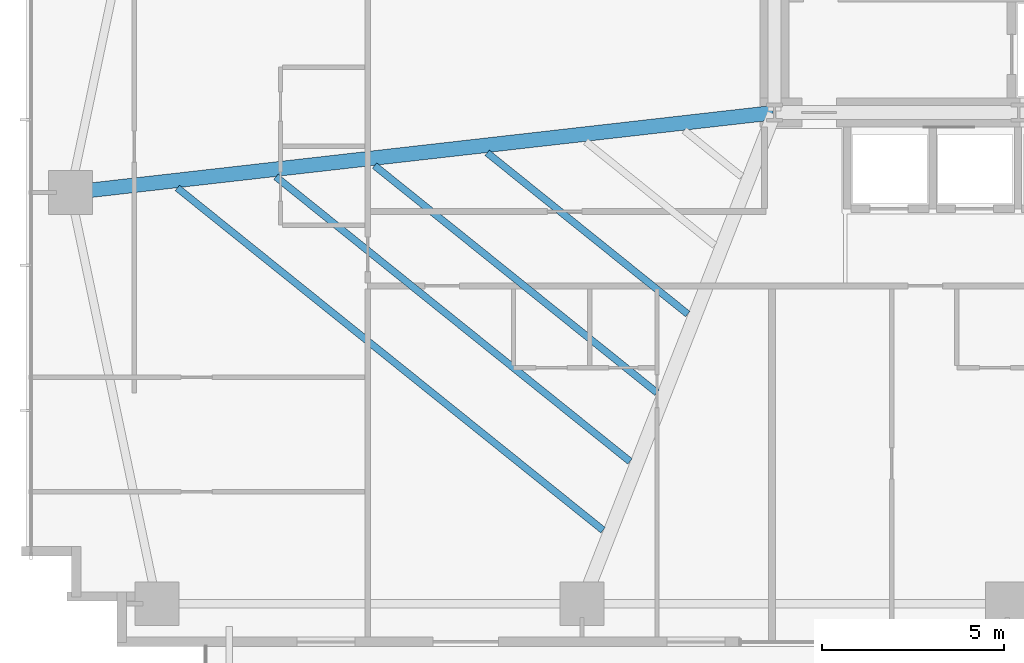
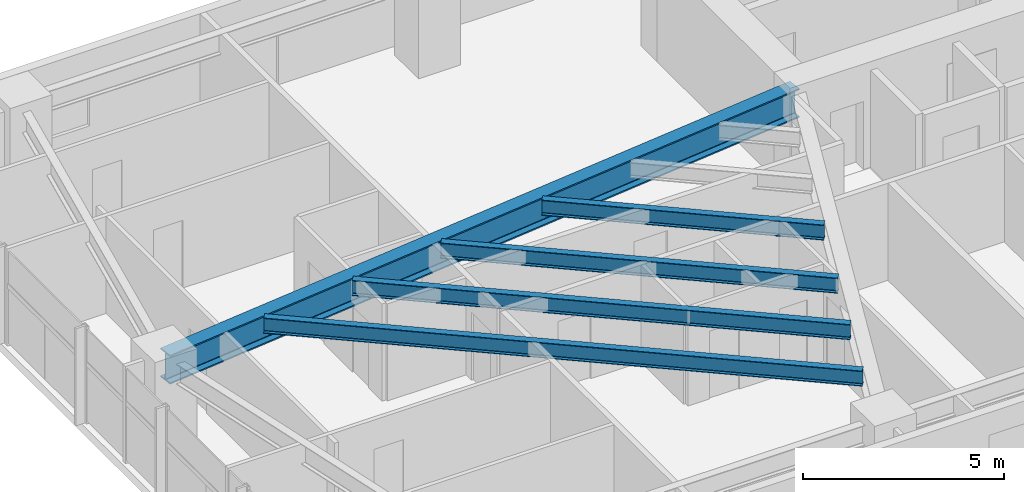
# One storey, part 5 of 25: 5 beams.
"""IFC4 building model written with IfcOpenShell, lengths in metres."""

from ifc_helpers import new_model, si_unit, direction, frame, origin, origin_2d, place, context, subcontext, project, spatial, i_section, extrude, source, transform, mapped, material, material_profile, profile_set, type_object, type_shapes, element, save


model = new_model("IFC4")

# Units and contexts
model_context = context("Model", 3, precision=1e-05, world=origin(), true_north=direction((0.0, 1.0)))
body_context = subcontext(model_context, "Body", "Model", "MODEL_VIEW")
ifc_project = project(units=[si_unit("LENGTHUNIT", "METRE"), si_unit("AREAUNIT", "SQUARE_METRE"), si_unit("VOLUMEUNIT", "CUBIC_METRE"), si_unit("PLANEANGLEUNIT", "RADIAN"), si_unit("MASSUNIT", "GRAM", prefix="KILO")], contexts=[model_context])

# Site, building, storey
site_placement = place(None, origin())
site = spatial("IfcSite", under=ifc_project, at=site_placement, CompositionType="ELEMENT")
building_placement = place(site_placement, origin())
building = spatial("IfcBuilding", under=site, at=building_placement, Name="Astriad Promenade Condominiums", CompositionType="ELEMENT")
storey_placement = place(building_placement, frame((0.0, 0.0, 42.199951171875)))
storey = spatial("IfcBuildingStorey", under=building, at=storey_placement, Name="L11", CompositionType="ELEMENT", Elevation=42.199951171875)

# Beams
ifc_material = material(Name="Steel ASTM A992 Grade 50", Category="steel")
ifc_material_profile_1 = material_profile(ifc_material, i_section(OverallWidth=0.4013671875, OverallDepth=0.877197265625, WebThickness=0.022216796875, FlangeThickness=0.039794921875, FilletRadius=0.02294921875, at=origin_2d()), Name="W33X263")
ifc_profile_set_1 = profile_set([ifc_material_profile_1], Name="Steel ASTM A992 Grade 50")
beam_type_1 = type_object("IfcBeamType", Name="STEEL PRIMARY GIRDER W33X263", PredefinedType="BEAM", material=ifc_profile_set_1)
shared_shape_1 = source(origin(), body_context, "Body", "SweptSolid", [
    extrude(i_section(OverallWidth=0.4013671875, OverallDepth=0.877197265625, WebThickness=0.022216796875, FlangeThickness=0.039794921875, FilletRadius=0.02294921875, at=origin_2d()), origin(), (0.0, 0.0, 1.0), 19.424560546875),
])
type_shapes(beam_type_1, [shared_shape_1])
beam_1_placement = place(storey_placement, frame((7.059814453125, 15.20458984375, 2.50146484375), z_axis=(0.993618675315, 0.11279152479, 0.0), x_axis=(-0.11279152479, 0.993618675315, 0.0)))
element("IfcBeam", 1, at=beam_1_placement, inside=storey, type_object=beam_type_1, Name="Primary Floor Girder PG-WM-L11", PredefinedType="BEAM", context=body_context, shape_type="MappedRepresentation", body=[
    mapped(shared_shape_1, transform((0.0, 0.0, 0.0), scale=1.0)),
])
ifc_material_profile_2 = material_profile(ifc_material, i_section(OverallWidth=0.19287109375, OverallDepth=0.466064453125, WebThickness=0.011474609375, FlangeThickness=0.01904296875, FilletRadius=0.01513671875, at=origin_2d()), Name="W18X65")
ifc_profile_set_2 = profile_set([ifc_material_profile_2], Name="Steel ASTM A992 Grade 50")
beam_type_2 = type_object("IfcBeamType", Name="STEEL FLOOR JOIST W18X65", PredefinedType="JOIST", material=ifc_profile_set_2)
shared_shape_2 = source(origin(), body_context, "Body", "SweptSolid", [
    extrude(i_section(OverallWidth=0.19287109375, OverallDepth=0.466064453125, WebThickness=0.011474609375, FlangeThickness=0.01904296875, FilletRadius=0.01513671875, at=origin_2d()), origin(), (0.0, 0.0, 1.0), 15.033447265625),
])
beam_2_placement = place(storey_placement, frame((9.961181640625, 15.32470703125, 2.70703125), z_axis=(0.779353434302, -0.626584570862, 0.0), x_axis=(0.626584570862, 0.779353434302, 0.0)))
element("IfcBeam", 2, at=beam_2_placement, inside=storey, type_object=beam_type_2, Name="Secondary Composite Floor Joist JW1-1-L11", PredefinedType="JOIST", context=body_context, shape_type="MappedRepresentation", body=[
    mapped(shared_shape_2, transform((0.0, 0.0, 0.0), scale=1.0)),
])
shared_shape_3 = source(origin(), body_context, "Body", "SweptSolid", [
    extrude(i_section(OverallWidth=0.19287109375, OverallDepth=0.466064453125, WebThickness=0.011474609375, FlangeThickness=0.01904296875, FilletRadius=0.01513671875, at=origin_2d()), origin(), (0.0, 0.0, 1.0), 12.50439453125),
])
beam_3_placement = place(storey_placement, frame((12.67431640625, 15.6328125, 2.70703125), z_axis=(0.77935791062, -0.626579003122, 0.0), x_axis=(0.626579003122, 0.77935791062, 0.0)))
element("IfcBeam", 3, at=beam_3_placement, inside=storey, type_object=beam_type_2, Name="Secondary Composite Floor Joist JW1-2-L11", PredefinedType="JOIST", context=body_context, shape_type="MappedRepresentation", body=[
    mapped(shared_shape_3, transform((0.0, 0.0, 0.0), scale=1.0)),
])
shared_shape_4 = source(origin(), body_context, "Body", "SweptSolid", [
    extrude(i_section(OverallWidth=0.19287109375, OverallDepth=0.466064453125, WebThickness=0.011474609375, FlangeThickness=0.01904296875, FilletRadius=0.01513671875, at=origin_2d()), origin(), (0.0, 0.0, 1.0), 9.97509765625),
])
beam_4_placement = place(storey_placement, frame((15.387451171875, 15.94091796875, 2.70703125), z_axis=(0.779355047887, -0.626582563859, 0.0), x_axis=(0.626582563859, 0.779355047887, 0.0)))
element("IfcBeam", 4, at=beam_4_placement, inside=storey, type_object=beam_type_2, Name="Secondary Composite Floor Joist JW1-3-L11", PredefinedType="JOIST", context=body_context, shape_type="MappedRepresentation", body=[
    mapped(shared_shape_4, transform((0.0, 0.0, 0.0), scale=1.0)),
])
shared_shape_5 = source(origin(), body_context, "Body", "SweptSolid", [
    extrude(i_section(OverallWidth=0.19287109375, OverallDepth=0.466064453125, WebThickness=0.011474609375, FlangeThickness=0.01904296875, FilletRadius=0.01513671875, at=origin_2d()), origin(), (0.0, 0.0, 1.0), 7.08447265625),
])
type_shapes(beam_type_2, [shared_shape_2, shared_shape_3, shared_shape_4, shared_shape_5])
beam_5_placement = place(storey_placement, frame((18.48828125, 16.292724609375, 2.70703125), z_axis=(0.779353562297, -0.62658441166, 0.0), x_axis=(0.62658441166, 0.779353562297, 0.0)))
element("IfcBeam", 5, at=beam_5_placement, inside=storey, type_object=beam_type_2, Name="Secondary Composite Floor Joist JW1-4-L11", PredefinedType="JOIST", context=body_context, shape_type="MappedRepresentation", body=[
    mapped(shared_shape_5, transform((0.0, 0.0, 0.0), scale=1.0)),
])

save(model, "model.ifc")
